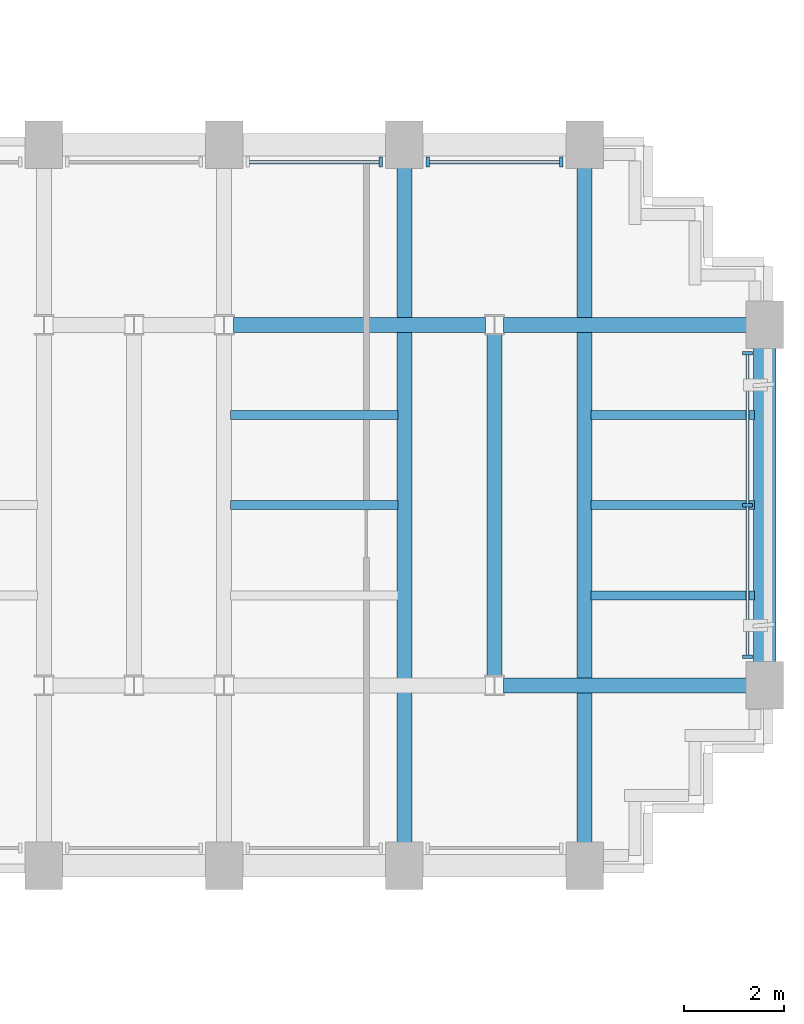
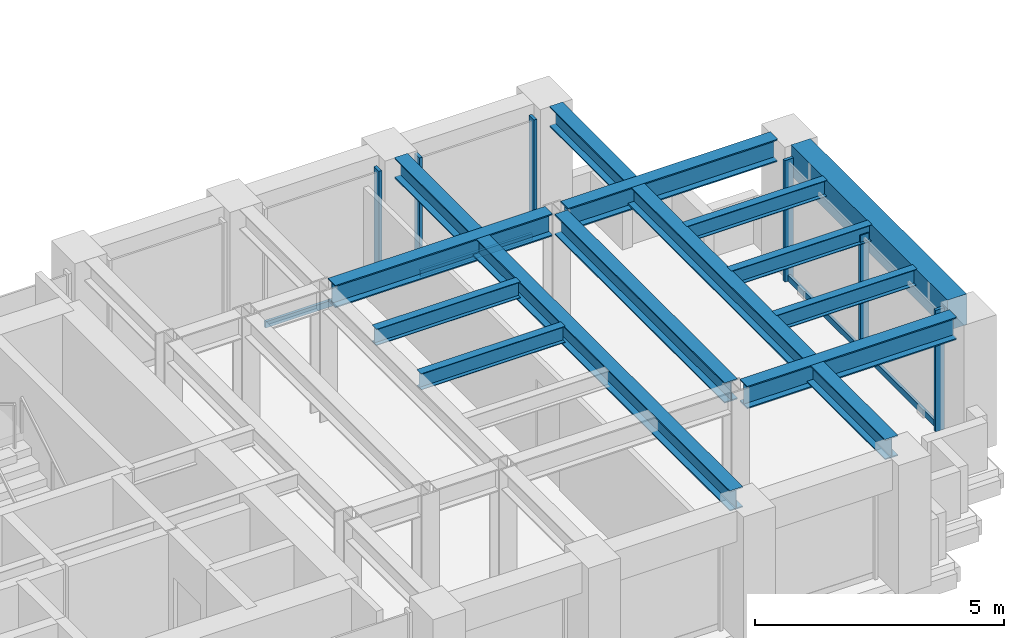
# One storey, part 6 of 16: 12 beams, 10 members, 3 elements without a shape of their own.
"""IFC4 building model written with IfcOpenShell, lengths in metres."""

from ifc_helpers import new_model, si_unit, direction, frame, origin, origin_2d, place, context, subcontext, project, spatial, rectangle, i_section, extrude, source, transform, mapped, material, material_profile, profile_set, type_object, element, aggregate, save


model = new_model("IFC4")

# Units and contexts
model_context = context("Model", 3, precision=1e-05, world=origin(), true_north=direction((0.0, 1.0)))
body_context = subcontext(model_context, "Body", "Model", "MODEL_VIEW")
ifc_project = project(units=[si_unit("LENGTHUNIT", "METRE"), si_unit("AREAUNIT", "SQUARE_METRE"), si_unit("VOLUMEUNIT", "CUBIC_METRE"), si_unit("PLANEANGLEUNIT", "RADIAN"), si_unit("MASSUNIT", "GRAM", prefix="KILO")], contexts=[model_context])

# Site, building, storey
site_placement = place(None, origin())
site = spatial("IfcSite", under=ifc_project, at=site_placement, CompositionType="ELEMENT")
building_placement = place(site_placement, origin())
building = spatial("IfcBuilding", under=site, at=building_placement, Name="Keilestroom Media Tower", CompositionType="ELEMENT")
storey_placement = place(building_placement, frame((0.0, 0.0, 51.0)))
storey = spatial("IfcBuildingStorey", under=building, at=storey_placement, Name="L12", CompositionType="ELEMENT", Elevation=51.0)

# Beams
ifc_material_1 = material(Name="Precast concrete C40/50", Category="concrete")
ifc_material_profile_1 = material_profile(ifc_material_1, rectangle(XDim=0.449951171875, YDim=0.75, at=origin_2d()), Name="PC 450x750")
ifc_profile_set_1 = profile_set([ifc_material_profile_1], Name="Precast concrete C40/50")
beam_type_1 = type_object("IfcBeamType", Name="Perimeter-Spandrel-Beam-PC-450x750", PredefinedType="SPANDREL", material=ifc_profile_set_1)
shared_shape_1 = source(origin(), body_context, "Body", "SweptSolid", [
    extrude(rectangle(XDim=0.449951171875, YDim=0.75, at=origin_2d()), origin(), (0.0, 0.0, 1.0), 6.2900390625),
])
beam_1_placement = place(storey_placement, frame((28.800048828125, -3.14501953125, 2.824951171875), z_axis=(0.0, 1.0, 0.0), x_axis=(-1.0, 0.0, 0.0)))
element("IfcBeam", 1, at=beam_1_placement, inside=storey, type_object=beam_type_1, Name="L12 Beam SPB-1 BM-L12-NS-086", PredefinedType="SPANDREL", context=body_context, shape_type="MappedRepresentation", body=[
    mapped(shared_shape_1, transform((0.0, 0.0, 0.0), x_axis=(1.0, 0.0, 0.0), y_axis=(0.0, 1.0, 0.0), z_axis=(0.0, 0.0, 1.0), scale=1.0)),
])
ifc_material_2 = material(Name="Steel S355", Category="steel")
ifc_material_profile_2 = material_profile(ifc_material_2, i_section(OverallWidth=0.300048828125, OverallDepth=0.550048828125, WebThickness=0.012939453125, FlangeThickness=0.029052734375, at=origin_2d()), Name="HEB 550")
ifc_profile_set_2 = profile_set([ifc_material_profile_2], Name="Steel S355")
beam_type_2 = type_object("IfcBeamType", Name="Primary-Structural-Girder-HEB-550", PredefinedType="BEAM", material=ifc_profile_set_2)
shared_shape_2 = source(origin(), body_context, "Body", "SweptSolid", [
    extrude(i_section(OverallWidth=0.300048828125, OverallDepth=0.550048828125, WebThickness=0.012939453125, FlangeThickness=0.029052734375, at=origin_2d()), origin(), (0.0, 0.0, 1.0), 4.863037109375),
])
for number, where, z_axis, x_axis, name in (
    (2, (23.58203125, -3.60009765625, 2.925048828125), (1.0, 0.0, 0.0), (0.0, 1.0, 0.0), "L12 Beam BG-5 BM-L12-EW-025"),
    (3, (23.58203125, 3.60009765625, 2.925048828125), (1.0, 0.0, 0.0), (0.0, 1.0, 0.0), "L12 Beam BG-5 BM-L12-EW-033"),
):
    element("IfcBeam", number, at=place(storey_placement, frame(where, z_axis=z_axis, x_axis=x_axis)), inside=storey, type_object=beam_type_2, Name=name, PredefinedType="BEAM", context=body_context, shape_type="MappedRepresentation", body=[
        mapped(shared_shape_2, transform((0.0, 0.0, 0.0), x_axis=(1.0, 0.0, 0.0), y_axis=(0.0, 1.0, 0.0), z_axis=(0.0, 0.0, 1.0), scale=1.0)),
    ])
shared_shape_3 = source(origin(), body_context, "Body", "SweptSolid", [
    extrude(i_section(OverallWidth=0.300048828125, OverallDepth=0.550048828125, WebThickness=0.012939453125, FlangeThickness=0.029052734375, at=origin_2d()), origin(), (0.0, 0.0, 1.0), 5.0361328125),
])
beam_2_placement = place(storey_placement, frame((18.181884765625, 3.60009765625, 2.925048828125), z_axis=(1.0, 0.0, 0.0), x_axis=(0.0, 1.0, 0.0)))
element("IfcBeam", 4, at=beam_2_placement, inside=storey, type_object=beam_type_2, Name="L12 Beam BG-5 BM-L12-EW-032", PredefinedType="BEAM", context=body_context, shape_type="MappedRepresentation", body=[
    mapped(shared_shape_3, transform((0.0, 0.0, 0.0), x_axis=(1.0, 0.0, 0.0), y_axis=(0.0, 1.0, 0.0), z_axis=(0.0, 0.0, 1.0), scale=1.0)),
])
ifc_material_profile_3 = material_profile(ifc_material_2, i_section(OverallWidth=0.300048828125, OverallDepth=0.5, WebThickness=0.012451171875, FlangeThickness=0.028076171875, at=origin_2d()), Name="HEB 500")
ifc_profile_set_3 = profile_set([ifc_material_profile_3], Name="Steel S355")
beam_type_3 = type_object("IfcBeamType", Name="Primary-Structural-Girder-HEB-500", PredefinedType="BEAM", material=ifc_profile_set_3)
shared_shape_4 = source(origin(), body_context, "Body", "SweptSolid", [
    extrude(i_section(OverallWidth=0.300048828125, OverallDepth=0.5, WebThickness=0.012451171875, FlangeThickness=0.028076171875, at=origin_2d()), origin(), (0.0, 0.0, 1.0), 13.490234375),
])
for number, where, z_axis, x_axis, name in (
    (5, (21.60009765625, -6.7451171875, 2.949951171875), (0.0, 1.0, 0.0), (-1.0, 0.0, 0.0), "L12 Beam BG-6 BM-L12-NS-083"),
    (6, (25.199951171875, -6.7451171875, 2.949951171875), (0.0, 1.0, 0.0), (-1.0, 0.0, 0.0), "L12 Beam BG-6 BM-L12-NS-085"),
):
    element("IfcBeam", number, at=place(storey_placement, frame(where, z_axis=z_axis, x_axis=x_axis)), inside=storey, type_object=beam_type_3, Name=name, PredefinedType="BEAM", context=body_context, shape_type="MappedRepresentation", body=[
        mapped(shared_shape_4, transform((0.0, 0.0, 0.0), x_axis=(1.0, 0.0, 0.0), y_axis=(0.0, 1.0, 0.0), z_axis=(0.0, 0.0, 1.0), scale=1.0)),
    ])
shared_shape_5 = source(origin(), body_context, "Body", "SweptSolid", [
    extrude(i_section(OverallWidth=0.300048828125, OverallDepth=0.5, WebThickness=0.012451171875, FlangeThickness=0.028076171875, at=origin_2d()), origin(), (0.0, 0.0, 1.0), 6.8330078125),
])
beam_3_placement = place(storey_placement, frame((23.39990234375, -3.41650390625, 2.949951171875), z_axis=(0.0, 1.0, 0.0), x_axis=(-1.0, 0.0, 0.0)))
element("IfcBeam", 7, at=beam_3_placement, inside=storey, type_object=beam_type_3, Name="L12 Beam BG-6 BM-L12-NS-084", PredefinedType="BEAM", context=body_context, shape_type="MappedRepresentation", body=[
    mapped(shared_shape_5, transform((0.0, 0.0, 0.0), x_axis=(1.0, 0.0, 0.0), y_axis=(0.0, 1.0, 0.0), z_axis=(0.0, 0.0, 1.0), scale=1.0)),
])
ifc_material_profile_4 = material_profile(ifc_material_2, i_section(OverallWidth=0.179931640625, OverallDepth=0.39990234375, WebThickness=0.008544921875, FlangeThickness=0.013427734375, at=origin_2d()), Name="IPE 400")
ifc_profile_set_4 = profile_set([ifc_material_profile_4], Name="Steel S355")
beam_type_4 = type_object("IfcBeamType", Name="Secondary-Floor-Joist-IPE-400", PredefinedType="JOIST", material=ifc_profile_set_4)
shared_shape_6 = source(origin(), body_context, "Body", "SweptSolid", [
    extrude(i_section(OverallWidth=0.179931640625, OverallDepth=0.39990234375, WebThickness=0.008544921875, FlangeThickness=0.013427734375, at=origin_2d()), origin(), (0.0, 0.0, 1.0), 3.264892578125),
])
for number, where, z_axis, x_axis, name in (
    (8, (25.330078125, -1.800048828125, 3.0), (1.0, 0.0, 0.0), (0.0, 1.0, 0.0), "L12 Beam BJ-4 JST-L12-095"),
    (9, (25.330078125, 0.0, 3.0), (1.0, 0.0, 0.0), (0.0, 1.0, 0.0), "L12 Beam BJ-4 JST-L12-102"),
    (10, (25.330078125, 1.800048828125, 3.0), (1.0, 0.0, 0.0), (0.0, 1.0, 0.0), "L12 Beam BJ-4 JST-L12-109"),
):
    element("IfcBeam", number, at=place(storey_placement, frame(where, z_axis=z_axis, x_axis=x_axis)), inside=storey, type_object=beam_type_4, Name=name, PredefinedType="JOIST", context=body_context, shape_type="MappedRepresentation", body=[
        mapped(shared_shape_6, transform((0.0, 0.0, 0.0), x_axis=(1.0, 0.0, 0.0), y_axis=(0.0, 1.0, 0.0), z_axis=(0.0, 0.0, 1.0), scale=1.0)),
    ])
shared_shape_7 = source(origin(), body_context, "Body", "SweptSolid", [
    extrude(i_section(OverallWidth=0.179931640625, OverallDepth=0.39990234375, WebThickness=0.008544921875, FlangeThickness=0.013427734375, at=origin_2d()), origin(), (0.0, 0.0, 1.0), 3.340087890625),
])
for number, where, z_axis, x_axis, name in (
    (11, (18.1298828125, 0.0, 3.0), (1.0, 0.0, 0.0), (0.0, 1.0, 0.0), "L12 Beam BJ-4 JST-L12-101"),
    (12, (18.1298828125, 1.800048828125, 3.0), (1.0, 0.0, 0.0), (0.0, 1.0, 0.0), "L12 Beam BJ-4 JST-L12-108"),
):
    element("IfcBeam", number, at=place(storey_placement, frame(where, z_axis=z_axis, x_axis=x_axis)), inside=storey, type_object=beam_type_4, Name=name, PredefinedType="JOIST", context=body_context, shape_type="MappedRepresentation", body=[
        mapped(shared_shape_7, transform((0.0, 0.0, 0.0), x_axis=(1.0, 0.0, 0.0), y_axis=(0.0, 1.0, 0.0), z_axis=(0.0, 0.0, 1.0), scale=1.0)),
    ])

# Curtain wall, members
ifc_material_3 = material(Name="Anodised Aluminium Alloy", Category="aluminium")
curtain_wall_type = type_object("IfcCurtainWallType", Name="Unitised-Curtain-Wall-CW-1", PredefinedType="NOTDEFINED", material=ifc_material_3)
curtain_wall_1_placement = place(storey_placement, origin())
curtain_wall_1 = element("IfcCurtainWall", 13, at=curtain_wall_1_placement, inside=storey, type_object=curtain_wall_type, Name="L12 Curtain Wall CW-1 CW-L12-E-1", PredefinedType="NOTDEFINED")
ifc_material_profile_5 = material_profile(ifc_material_3, rectangle(XDim=0.070068359375, YDim=0.199951171875, at=origin_2d()), Name="ALU MULLION 70x200")
ifc_profile_set_5 = profile_set([ifc_material_profile_5], Name="Anodised Aluminium Alloy")
member_type_1 = type_object("IfcMemberType", Name="Curtain-Wall-Mullion-CW-1", PredefinedType="MULLION", material=ifc_profile_set_5)
shared_shape_8 = source(origin(), body_context, "Body", "SweptSolid", [
    extrude(rectangle(XDim=0.070068359375, YDim=0.199951171875, at=origin_2d()), origin(), (0.0, 0.0, 1.0), 2.97998046875),
])
member_1_placement = place(storey_placement, frame((28.449951171875, -3.030029296875, 0.0), z_axis=(0.0, 0.0, 1.0), x_axis=(0.0, 1.0, 0.0)))
member_1 = element("IfcMember", 14, at=member_1_placement, type_object=member_type_1, Name="CW-1 Mullion 00", PredefinedType="MULLION", context=body_context, shape_type="MappedRepresentation", body=[
    mapped(shared_shape_8, transform((0.0, 0.0, 0.0), x_axis=(1.0, 0.0, 0.0), y_axis=(0.0, 1.0, 0.0), z_axis=(0.0, 0.0, 1.0), scale=1.0)),
])
member_2_placement = place(storey_placement, frame((28.449951171875, 0.0, 0.0), z_axis=(0.0, 0.0, 1.0), x_axis=(0.0, 1.0, 0.0)))
member_2 = element("IfcMember", 15, at=member_2_placement, type_object=member_type_1, Name="CW-1 Mullion 01", PredefinedType="MULLION", context=body_context, shape_type="MappedRepresentation", body=[
    mapped(shared_shape_8, transform((0.0, 0.0, 0.0), x_axis=(1.0, 0.0, 0.0), y_axis=(0.0, 1.0, 0.0), z_axis=(0.0, 0.0, 1.0), scale=1.0)),
])
member_3_placement = place(storey_placement, frame((28.449951171875, 3.030029296875, 0.0), z_axis=(0.0, 0.0, 1.0), x_axis=(0.0, 1.0, 0.0)))
member_3 = element("IfcMember", 16, at=member_3_placement, type_object=member_type_1, Name="CW-1 Mullion 02", PredefinedType="MULLION", context=body_context, shape_type="MappedRepresentation", body=[
    mapped(shared_shape_8, transform((0.0, 0.0, 0.0), x_axis=(1.0, 0.0, 0.0), y_axis=(0.0, 1.0, 0.0), z_axis=(0.0, 0.0, 1.0), scale=1.0)),
])

# Curtain wall, member
curtain_wall_2_placement = place(storey_placement, origin())
curtain_wall_2 = element("IfcCurtainWall", 17, at=curtain_wall_2_placement, inside=storey, type_object=curtain_wall_type, Name="L12 Curtain Wall CW-1 CW-L12-NE-3", PredefinedType="NOTDEFINED")
member_4_placement = place(storey_placement, frame((21.1298828125, 6.85009765625, 0.0), z_axis=(0.0, 0.0, 1.0), x_axis=(1.0, 0.0, 0.0)))
member_4 = element("IfcMember", 18, at=member_4_placement, type_object=member_type_1, Name="CW-1 Mullion 01", PredefinedType="MULLION", context=body_context, shape_type="MappedRepresentation", body=[
    mapped(shared_shape_8, transform((0.0, 0.0, 0.0), x_axis=(1.0, 0.0, 0.0), y_axis=(0.0, 1.0, 0.0), z_axis=(0.0, 0.0, 1.0), scale=1.0)),
])

# Curtain wall, members
curtain_wall_3_placement = place(storey_placement, origin())
curtain_wall_3 = element("IfcCurtainWall", 19, at=curtain_wall_3_placement, inside=storey, type_object=curtain_wall_type, Name="L12 Curtain Wall CW-1 CW-L12-NE-4", PredefinedType="NOTDEFINED")
member_5_placement = place(storey_placement, frame((22.070068359375, 6.85009765625, 0.0), z_axis=(0.0, 0.0, 1.0), x_axis=(1.0, 0.0, 0.0)))
member_5 = element("IfcMember", 20, at=member_5_placement, type_object=member_type_1, Name="CW-1 Mullion 00", PredefinedType="MULLION", context=body_context, shape_type="MappedRepresentation", body=[
    mapped(shared_shape_8, transform((0.0, 0.0, 0.0), x_axis=(1.0, 0.0, 0.0), y_axis=(0.0, 1.0, 0.0), z_axis=(0.0, 0.0, 1.0), scale=1.0)),
])
member_6_placement = place(storey_placement, frame((24.72998046875, 6.85009765625, 0.0), z_axis=(0.0, 0.0, 1.0), x_axis=(1.0, 0.0, 0.0)))
member_6 = element("IfcMember", 21, at=member_6_placement, type_object=member_type_1, Name="CW-1 Mullion 01", PredefinedType="MULLION", context=body_context, shape_type="MappedRepresentation", body=[
    mapped(shared_shape_8, transform((0.0, 0.0, 0.0), x_axis=(1.0, 0.0, 0.0), y_axis=(0.0, 1.0, 0.0), z_axis=(0.0, 0.0, 1.0), scale=1.0)),
])

# Member
ifc_material_profile_6 = material_profile(ifc_material_3, rectangle(XDim=0.06494140625, YDim=0.14990234375, at=origin_2d()), Name="ALU TRANSOM 65x150")
ifc_profile_set_6 = profile_set([ifc_material_profile_6], Name="Anodised Aluminium Alloy")
member_type_2 = type_object("IfcMemberType", Name="Curtain-Wall-Transom-CW-1", PredefinedType="USERDEFINED", material=ifc_profile_set_6)
shared_shape_9 = source(origin(), body_context, "Body", "SweptSolid", [
    extrude(rectangle(XDim=0.06494140625, YDim=0.14990234375, at=origin_2d()), origin(), (0.0, 0.0, 1.0), 2.964111328125),
])
member_7_placement = place(storey_placement, frame((28.449951171875, -2.9970703125, 0.074951171875), z_axis=(0.0, 1.0, 0.0), x_axis=(-1.0, 0.0, 0.0)))
member_7 = element("IfcMember", 22, at=member_7_placement, type_object=member_type_2, Name="CW-1 Transom 00.1", ObjectType="TRANSOM", PredefinedType="USERDEFINED", context=body_context, shape_type="MappedRepresentation", body=[
    mapped(shared_shape_9, transform((0.0, 0.0, 0.0), x_axis=(1.0, 0.0, 0.0), y_axis=(0.0, 1.0, 0.0), z_axis=(0.0, 0.0, 1.0), scale=1.0)),
])

member_8_placement = place(storey_placement, frame((28.449951171875, 0.032958984375, 0.074951171875), z_axis=(0.0, 1.0, 0.0), x_axis=(-1.0, 0.0, 0.0)))
member_8 = element("IfcMember", 23, at=member_8_placement, type_object=member_type_2, Name="CW-1 Transom 01.1", ObjectType="TRANSOM", PredefinedType="USERDEFINED", context=body_context, shape_type="MappedRepresentation", body=[
    mapped(shared_shape_9, transform((0.0, 0.0, 0.0), x_axis=(1.0, 0.0, 0.0), y_axis=(0.0, 1.0, 0.0), z_axis=(0.0, 0.0, 1.0), scale=1.0)),
])

aggregate(curtain_wall_1, [member_1, member_2, member_3, member_7, member_8])

shared_shape_10 = source(origin(), body_context, "Body", "SweptSolid", [
    extrude(rectangle(XDim=0.06494140625, YDim=0.14990234375, at=origin_2d()), origin(), (0.0, 0.0, 1.0), 2.593994140625),
])
member_9_placement = place(storey_placement, frame((18.5029296875, 6.85009765625, 0.074951171875), z_axis=(1.0, 0.0, 0.0), x_axis=(0.0, 1.0, 0.0)))
member_9 = element("IfcMember", 24, at=member_9_placement, type_object=member_type_2, Name="CW-1 Transom 00.1", ObjectType="TRANSOM", PredefinedType="USERDEFINED", context=body_context, shape_type="MappedRepresentation", body=[
    mapped(shared_shape_10, transform((0.0, 0.0, 0.0), x_axis=(1.0, 0.0, 0.0), y_axis=(0.0, 1.0, 0.0), z_axis=(0.0, 0.0, 1.0), scale=1.0)),
])

aggregate(curtain_wall_2, [member_4, member_9])

member_10_placement = place(storey_placement, frame((22.10302734375, 6.85009765625, 0.074951171875), z_axis=(1.0, 0.0, 0.0), x_axis=(0.0, 1.0, 0.0)))
member_10 = element("IfcMember", 25, at=member_10_placement, type_object=member_type_2, Name="CW-1 Transom 00.1", ObjectType="TRANSOM", PredefinedType="USERDEFINED", context=body_context, shape_type="MappedRepresentation", body=[
    mapped(shared_shape_10, transform((0.0, 0.0, 0.0), x_axis=(1.0, 0.0, 0.0), y_axis=(0.0, 1.0, 0.0), z_axis=(0.0, 0.0, 1.0), scale=1.0)),
])

aggregate(curtain_wall_3, [member_5, member_6, member_10])

save(model, "model.ifc")
